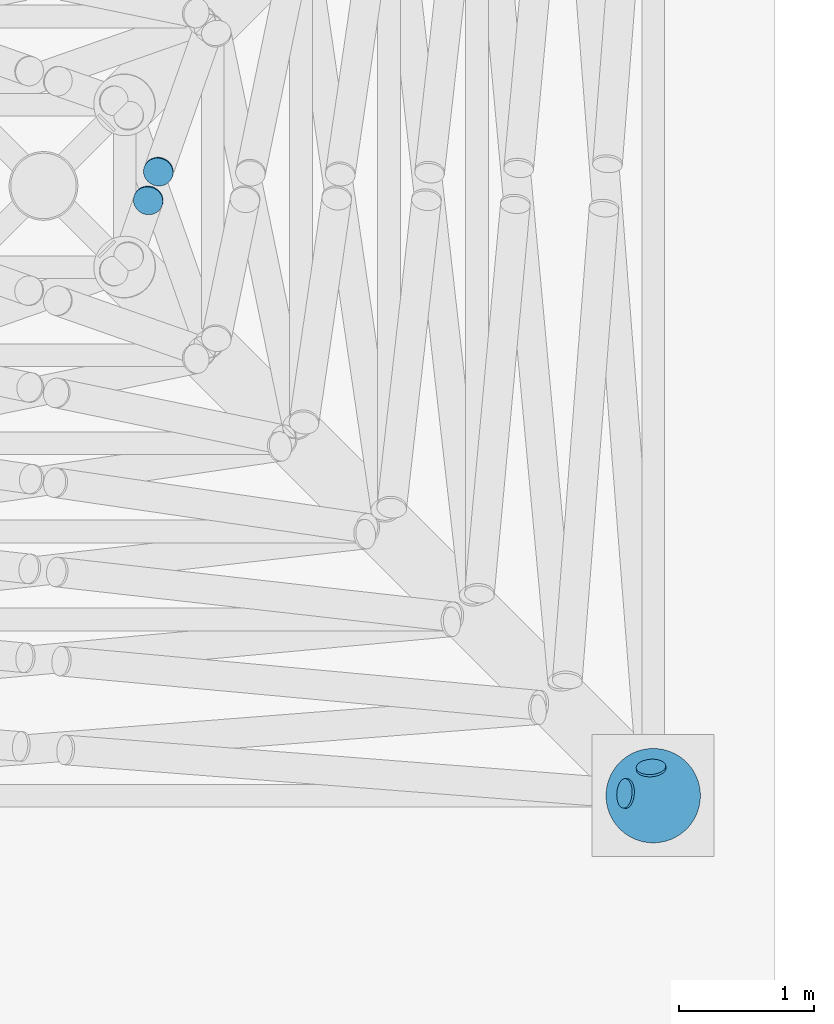
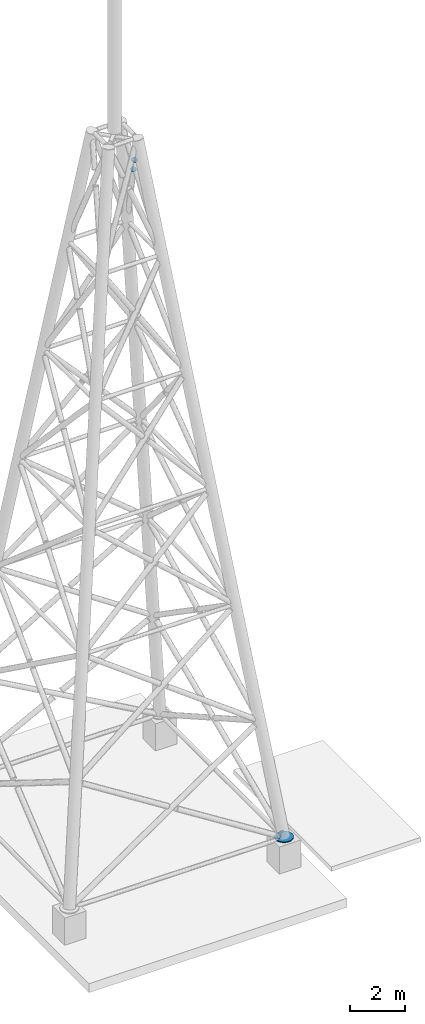
# One storey, part 8 of 10: 5 discrete accessories.
"""IFC4 building model written with IfcOpenShell, lengths in metres."""

from ifc_helpers import new_model, si_unit, direction, frame, origin, origin_2d, place, context, subcontext, project, spatial, circle, extrude, material, material_profile, profile_set, type_object, element, save


model = new_model("IFC4")

# Units and contexts
model_context = context("Model", 3, precision=1e-05, world=origin(), true_north=direction((0.0, 1.0)))
body_context = subcontext(model_context, "Body", "Model", "MODEL_VIEW")
ifc_project = project(units=[si_unit("LENGTHUNIT", "METRE"), si_unit("AREAUNIT", "SQUARE_METRE"), si_unit("VOLUMEUNIT", "CUBIC_METRE"), si_unit("PLANEANGLEUNIT", "RADIAN"), si_unit("MASSUNIT", "GRAM", prefix="KILO")], contexts=[model_context])

# Site, building, storey
site_placement = place(None, origin())
site = spatial("IfcSite", under=ifc_project, at=site_placement, CompositionType="ELEMENT")
building_placement = place(site_placement, origin())
building = spatial("IfcBuilding", under=site, at=building_placement, Name="Dhurran Vertical Campus", CompositionType="ELEMENT")
storey_placement = place(building_placement, frame((0.0, 0.0, 345.89990234375)))
storey = spatial("IfcBuildingStorey", under=building, at=storey_placement, Name="Upper Roof", CompositionType="ELEMENT", Elevation=345.89990234375)

# Discrete accessories
ifc_material_1 = material(Name="Steel S355J2", Category="steel")
ifc_material_profile_1 = material_profile(ifc_material_1, circle(Radius=0.348388671875, at=origin_2d()), Name="Mast base plate 697 x 40")
ifc_profile_set_1 = profile_set([ifc_material_profile_1], Name="Steel S355J2")
discrete_accessory_type_1 = type_object("IfcDiscreteAccessoryType", Name="Mast base plate 697 x 40", PredefinedType="USERDEFINED", material=ifc_profile_set_1)
discrete_accessory_placement = place(storey_placement, frame((4.5, -4.5, 1.60009765625), z_axis=(0.0, 0.0, 1.0), x_axis=(1.0, 0.0, 0.0)))
element("IfcDiscreteAccessory", 1, at=discrete_accessory_placement, inside=storey, type_object=discrete_accessory_type_1, Name="EC2 mast leg 2 base plate", ObjectType="BASE PLATE", PredefinedType="USERDEFINED", context=body_context, shape_type="SweptSolid", body=[
    extrude(circle(Radius=0.348388671875, at=origin_2d()), origin(), (0.0, 0.0, 1.0), 0.0400390625),
])
ifc_material_2 = material(Name="Steel S355J2", Category="steel")
ifc_material_profile_2 = material_profile(ifc_material_2, circle(Radius=0.109619140625, at=origin_2d()), Name="Tube end cap 219 x 20")
ifc_profile_set_2 = profile_set([ifc_material_profile_2], Name="Steel S355J2")
discrete_accessory_type_2 = type_object("IfcDiscreteAccessoryType", Name="Tube end cap 219 x 20", PredefinedType="USERDEFINED", material=ifc_profile_set_2)
for number, where, z_axis, x_axis, name in (
    (2, (4.287353515625, -4.4833984375, 1.7275390625), (0.855888994553, -0.061134928182, -0.513533396732), (0.071247049988, 0.997458699831, 0.0), "EC1 mast diag 0 002 capA"),
    (3, (4.4833984375, -4.287353515625, 1.7275390625), (0.061134928182, -0.855888994553, -0.513533396732), (0.997458699831, 0.071247049988, 0.0), "EC1 mast diag 0 004 capA"),
    (4, (0.849365234375, 0.109619140625, 29.681884765625), (-0.122535770349, -0.343100156977, 0.931271854652), (0.941741911595, -0.336336396998, 0.0), "EC1 mast diag 5 065 capB"),
    (5, (0.772216796875, -0.109619140625, 30.275146484375), (0.122535770349, 0.343100156977, -0.931271854652), (-0.941741911595, 0.336336396998, 0.0), "EC1 mast diag 5 066 capA"),
):
    element("IfcDiscreteAccessory", number, at=place(storey_placement, frame(where, z_axis=z_axis, x_axis=x_axis)), inside=storey, type_object=discrete_accessory_type_2, Name=name, ObjectType="END CAP", PredefinedType="USERDEFINED", context=body_context, shape_type="SweptSolid", body=[
        extrude(circle(Radius=0.109619140625, at=origin_2d()), origin(), (0.0, 0.0, 1.0), 0.02001953125),
    ])

save(model, "model.ifc")
